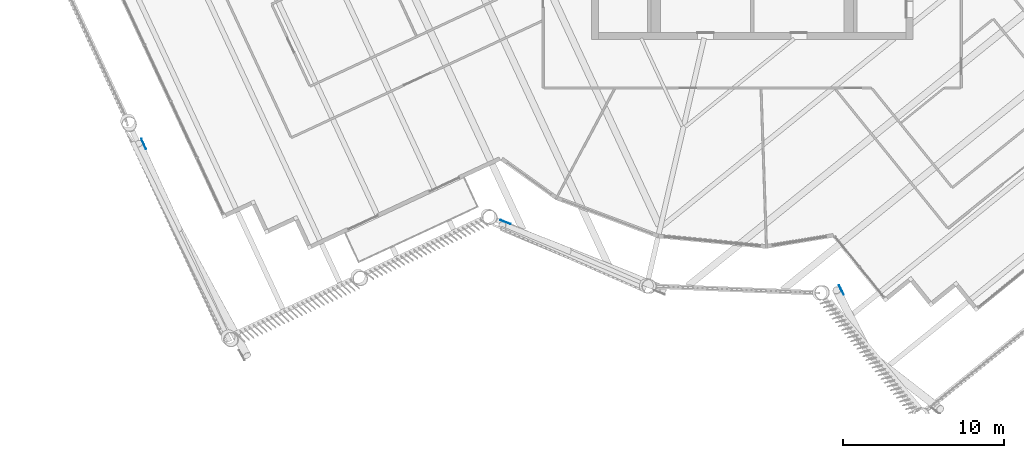
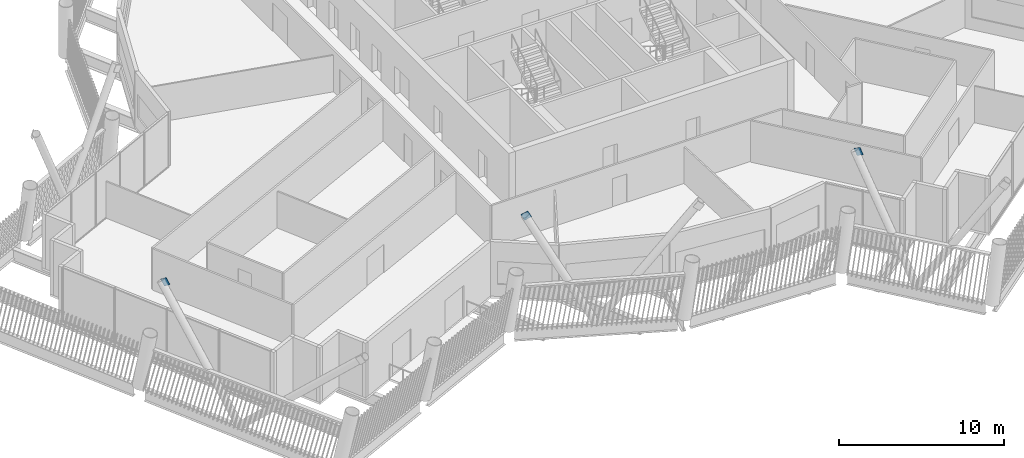
# One storey, part 24 of 36: 3 discrete accessories.
"""IFC4 building model written with IfcOpenShell, lengths in metres."""

from ifc_helpers import new_model, si_unit, direction, frame, origin, origin_2d, place, context, subcontext, project, spatial, rectangle, extrude, material, material_profile, profile_set, type_object, element, save


model = new_model("IFC4")

# Units and contexts
model_context = context("Model", 3, precision=1e-05, world=origin(), true_north=direction((0.0, 1.0)))
body_context = subcontext(model_context, "Body", "Model", "MODEL_VIEW")
ifc_project = project(units=[si_unit("LENGTHUNIT", "METRE"), si_unit("AREAUNIT", "SQUARE_METRE"), si_unit("VOLUMEUNIT", "CUBIC_METRE"), si_unit("PLANEANGLEUNIT", "RADIAN"), si_unit("MASSUNIT", "GRAM", prefix="KILO")], contexts=[model_context])

# Site, building, storey
site_placement = place(None, origin())
site = spatial("IfcSite", under=ifc_project, at=site_placement, CompositionType="ELEMENT")
building_placement = place(site_placement, origin())
building = spatial("IfcBuilding", under=site, at=building_placement, Name="Tarsis Ring Headquarters", CompositionType="ELEMENT")
storey_placement = place(building_placement, frame((0.0, 0.0, 386.0)))
storey = spatial("IfcBuildingStorey", under=building, at=storey_placement, Name="L91", CompositionType="ELEMENT", Elevation=386.0)

# Discrete accessories
ifc_material = material(Name="Structural steel S355", Category="steel")
ifc_material_profile = material_profile(ifc_material, rectangle(XDim=0.02490234375, YDim=0.5, at=origin_2d()), Name="PL 25x500")
ifc_profile_set = profile_set([ifc_material_profile], Name="Structural steel S355")
discrete_accessory_type = type_object("IfcDiscreteAccessoryType", Name="Gusset plate Exo brace 25", PredefinedType="BRACKET", material=ifc_profile_set)
for number, where, z_axis, x_axis, name in (
    (1, (5.48583984375, -28.44873046875, 8.39990234375), (0.214869519675, -0.418507223548, -0.882430050119), (0.889601217004, 0.456738081076, 0.0), "Gusset plate GP5"),
    (2, (-37.87939453125, -19.34619140625, 8.39990234375), (0.238753963213, -0.519009126575, -0.820747264133), (0.908483963049, 0.417919715834, 0.0), "Gusset plate GP5"),
    (3, (-15.437744140625, -24.29736328125, 8.39990234375), (0.42831023063, -0.168003100726, -0.887876852094), (0.365159686398, 0.930944898171, 0.0), "Gusset plate GP5"),
):
    element("IfcDiscreteAccessory", number, at=place(storey_placement, frame(where, z_axis=z_axis, x_axis=x_axis)), inside=storey, type_object=discrete_accessory_type, Name=name, PredefinedType="BRACKET", context=body_context, shape_type="SweptSolid", body=[
        extrude(rectangle(XDim=0.02490234375, YDim=0.5, at=origin_2d()), origin(), (0.0, 0.0, 1.0), 0.5),
    ])

save(model, "model.ifc")
